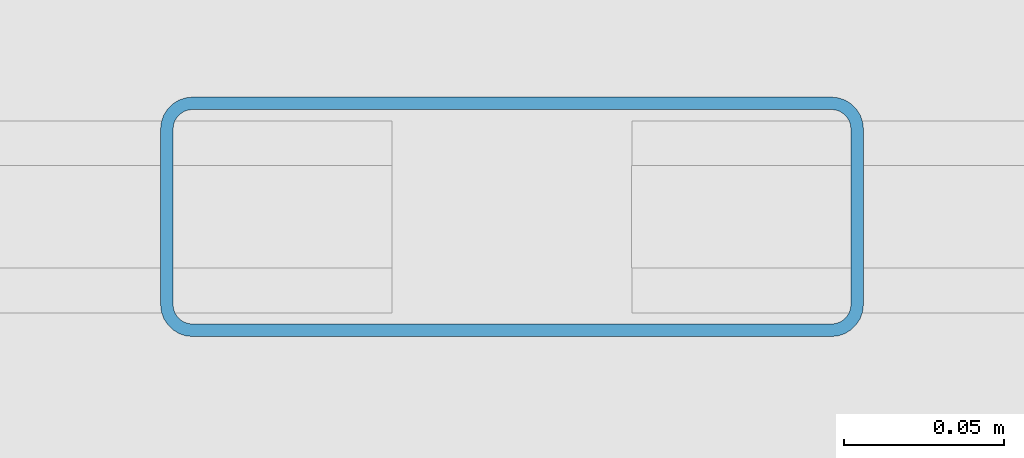
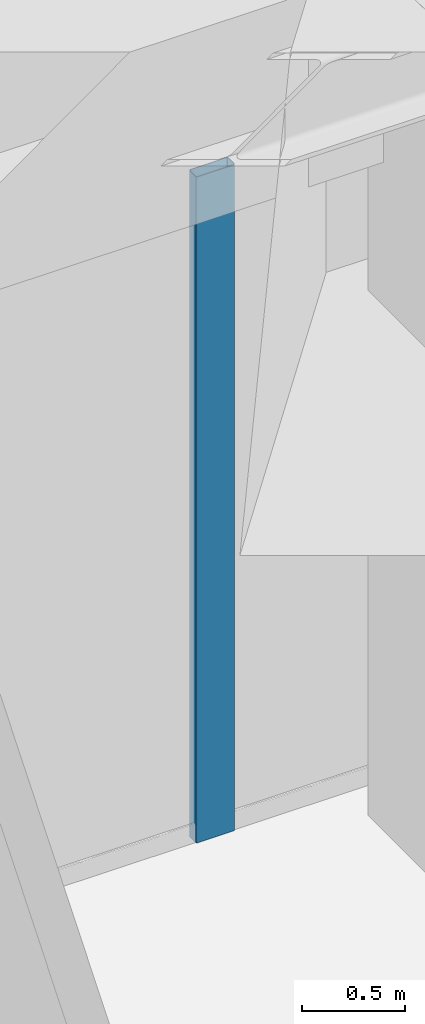
# One storey, part 24 of 38: 1 member, 1 element without a shape of its own.
"""IFC4 building model written with IfcOpenShell, lengths in metres."""

from ifc_helpers import new_model, si_unit, direction, frame, origin, origin_2d, place, context, subcontext, project, spatial, hollow_rectangle, extrude, source, transform, mapped, material, layer, layer_set, material_profile, profile_set, type_object, element, aggregate, save


model = new_model("IFC4")

# Units and contexts
model_context = context("Model", 3, precision=1e-05, world=origin(), true_north=direction((0.0, 1.0)))
body_context = subcontext(model_context, "Body", "Model", "MODEL_VIEW")
ifc_project = project(units=[si_unit("LENGTHUNIT", "METRE"), si_unit("AREAUNIT", "SQUARE_METRE"), si_unit("VOLUMEUNIT", "CUBIC_METRE"), si_unit("PLANEANGLEUNIT", "RADIAN"), si_unit("MASSUNIT", "GRAM", prefix="KILO")], contexts=[model_context])

# Site, building, storey
site_placement = place(None, origin())
site = spatial("IfcSite", under=ifc_project, at=site_placement, CompositionType="ELEMENT")
building_placement = place(site_placement, origin())
building = spatial("IfcBuilding", under=site, at=building_placement, Name="Serunith Strait Residences", CompositionType="ELEMENT")
storey_placement = place(building_placement, frame((0.0, 0.0, 204.89990234375)))
storey = spatial("IfcBuildingStorey", under=building, at=storey_placement, Name="L51", CompositionType="ELEMENT", Elevation=204.89990234375)

# Curtain wall, member
ifc_material = material(Name="Pale-Silver PVDF Aluminium", Category="aluminium")
ifc_layer = layer(ifc_material, 0.199951171875, Name="Pale-Silver PVDF Aluminium")
ifc_layer_set = layer_set([ifc_layer], Name="Pale-Silver PVDF Aluminium")
curtain_wall_type = type_object("IfcCurtainWallType", Name="CW-SYS3", PredefinedType="NOTDEFINED", material=ifc_layer_set)
curtain_wall_placement = place(storey_placement, origin())
curtain_wall = element("IfcCurtainWall", 1, at=curtain_wall_placement, inside=storey, type_object=curtain_wall_type, Name="L51 N Unitised Fritted Curtain Wall", PredefinedType="NOTDEFINED")
ifc_material_profile = material_profile(ifc_material, hollow_rectangle(XDim=0.074951171875, YDim=0.219970703125, WallThickness=0.00390625, InnerFilletRadius=0.006103515625, OuterFilletRadius=0.010009765625, at=origin_2d()), Name="ALU 220x75x4")
ifc_profile_set = profile_set([ifc_material_profile], Name="Pale-Silver PVDF Aluminium")
member_type = type_object("IfcMemberType", Name="CW-SYS3-MULL", PredefinedType="MULLION", material=ifc_profile_set)
shared_shape = source(origin(), body_context, "Body", "SweptSolid", [
    extrude(hollow_rectangle(XDim=0.074951171875, YDim=0.219970703125, WallThickness=0.00390625, InnerFilletRadius=0.006103515625, OuterFilletRadius=0.010009765625, at=origin_2d()), origin(), (0.0, 0.0, 1.0), 3.945068359375),
])
member_placement = place(storey_placement, frame((35.52001953125, 48.199951171875, 0.0), z_axis=(0.0, 0.0, 1.0), x_axis=(0.0, -1.0, 0.0)))
member = element("IfcMember", 2, at=member_placement, type_object=member_type, Name="CW-3 mullion 3", PredefinedType="MULLION", context=body_context, shape_type="MappedRepresentation", body=[
    mapped(shared_shape, transform((0.0, 0.0, 0.0), scale=1.0)),
])
aggregate(curtain_wall, [member])

save(model, "model.ifc")
